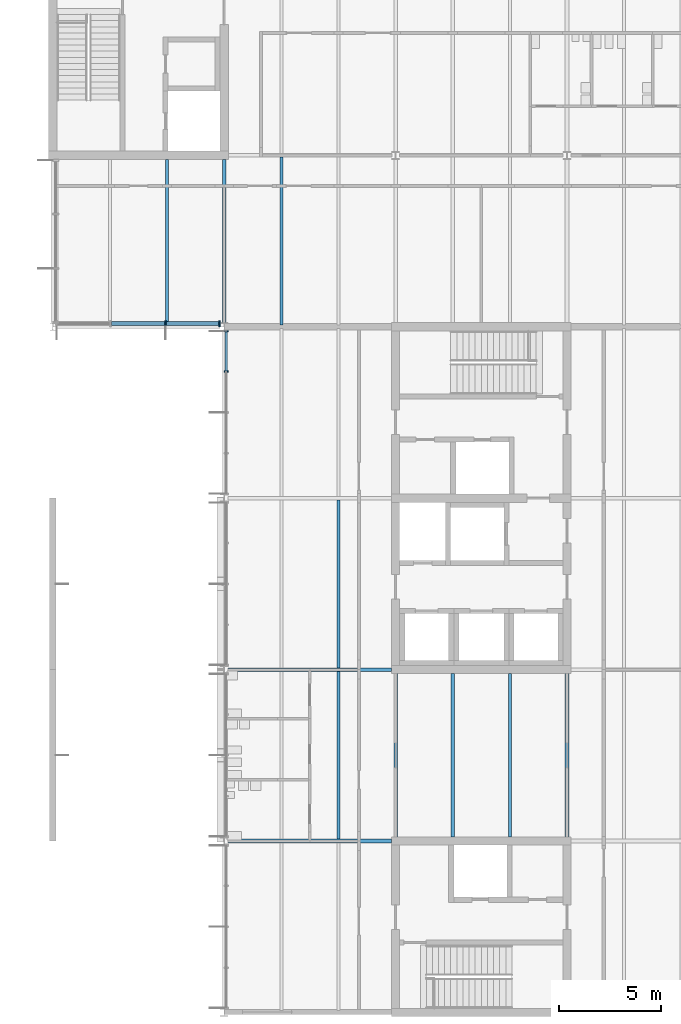
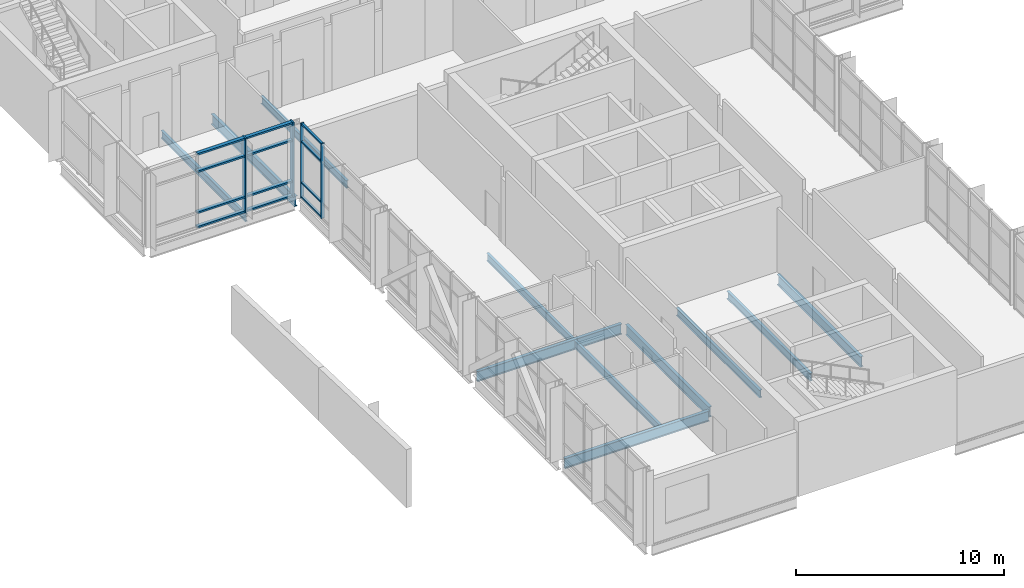
# One storey, part 21 of 72: 16 members, 11 beams, 2 elements without a shape of their own.
"""IFC4 building model written with IfcOpenShell, lengths in metres."""

import ifcopenshell
import ifcopenshell.guid

model = None  # the IFC model being written
_history = None  # IfcOwnerHistory: only IFC2X3 demands one
_inside = {}  # id of a spatial element -> (the spatial element, [elements in it])
_under = {}  # id of a project, library or spatial element -> (it, [spatial elements below it])
_declared = {}  # id of a project -> (the project, [libraries it declares])
_typed = {}  # id of a type object -> (the type object, [elements of that type])
_made_of = {}  # id of a material, layer set ... -> (it, [elements and type objects made of it])


def new_model(schema):
    """Start an empty IFC model of exactly this schema.

    Asked for "IFC4X3", IfcOpenShell would pick the latest addendum, in which some entities
    have other attributes; the version numbers below select the first issue.
    IFC2X3 requires an IfcOwnerHistory on every rooted entity: one is made here for all.
    """
    global model, _history
    if schema == "IFC4X3":
        model = ifcopenshell.file(schema_version=(4, 3, 0, 0))
    else:
        model = ifcopenshell.file(schema=schema)
    _inside.clear()
    _under.clear()
    _declared.clear()
    _typed.clear()
    _made_of.clear()
    _history = None
    if model.schema == "IFC2X3":
        org = make("IfcOrganization", Name="unknown")
        user = make(
            "IfcPersonAndOrganization",
            ThePerson=make("IfcPerson", FamilyName="unknown"),
            TheOrganization=org,
        )
        app = make(
            "IfcApplication",
            ApplicationDeveloper=org,
            Version="unknown",
            ApplicationFullName="unknown",
            ApplicationIdentifier="unknown",
        )
        _history = make(
            "IfcOwnerHistory",
            OwningUser=user,
            OwningApplication=app,
            ChangeAction="ADDED",
            CreationDate=0,
        )
    return model


def make(cls, **values):
    """One entity of the class cls with the attributes given. An attribute that is None is left unset."""
    return model.create_entity(
        cls, **{name: value for name, value in values.items() if value is not None}
    )


def rooted(cls, **values):
    """An entity with a GlobalId (a new one), such as an element, a storey or a relation."""
    return make(cls, GlobalId=ifcopenshell.guid.new(), OwnerHistory=_history, **values)


def si_unit(unit_type, name, prefix=None):
    """IfcSIUnit, for example si_unit("LENGTHUNIT", "METRE", prefix="MILLI")."""
    return make("IfcSIUnit", UnitType=unit_type, Prefix=prefix, Name=name)


def assignment(units):
    """IfcUnitAssignment: the units of a project."""
    return None if units is None else make("IfcUnitAssignment", Units=units)


def point(xyz):
    """IfcCartesianPoint."""
    return None if xyz is None else make("IfcCartesianPoint", Coordinates=xyz)


def direction(xyz):
    """IfcDirection."""
    return None if xyz is None else make("IfcDirection", DirectionRatios=xyz)


def frame(location, z_axis=None, x_axis=None):
    """IfcAxis2Placement3D, a coordinate frame: its origin and axes. An axis left out is left unset."""
    return make(
        "IfcAxis2Placement3D",
        Location=point(location),
        Axis=direction(z_axis),
        RefDirection=direction(x_axis),
    )


def frame_2d(location, x_axis=None):
    """IfcAxis2Placement2D, a coordinate frame in the plane: its origin and x axis."""
    return make(
        "IfcAxis2Placement2D", Location=point(location), RefDirection=direction(x_axis)
    )


def origin():
    """The frame at (0, 0, 0) with its axes left unset."""
    return frame((0.0, 0.0, 0.0))


def origin_2d():
    """The frame at (0, 0) in the plane with its x axis left unset."""
    return frame_2d((0.0, 0.0))


def place(relative_to, where):
    """IfcLocalPlacement: puts the frame where relative to a parent placement (None: the world)."""
    return make(
        "IfcLocalPlacement", PlacementRelTo=relative_to, RelativePlacement=where
    )


def context(
    kind, dimensions, precision=None, world=None, true_north=None, identifier=None
):
    """IfcGeometricRepresentationContext, for example the 3D "Model" context."""
    return make(
        "IfcGeometricRepresentationContext",
        ContextIdentifier=identifier,
        ContextType=kind,
        CoordinateSpaceDimension=dimensions,
        Precision=precision,
        WorldCoordinateSystem=world,
        TrueNorth=true_north,
    )


def subcontext(parent, identifier, kind, view, scale=None):
    """IfcGeometricRepresentationSubContext, for example "Body" below "Model"."""
    return make(
        "IfcGeometricRepresentationSubContext",
        ContextIdentifier=identifier,
        ContextType=kind,
        ParentContext=parent,
        TargetScale=scale,
        TargetView=view,
    )


def project(units=None, contexts=None):
    """IfcProject with its units and contexts."""
    return rooted(
        "IfcProject",
        Name="project",
        RepresentationContexts=contexts,
        UnitsInContext=assignment(units),
    )


def spatial(cls, under=None, at=None, **own):
    """A site, building, storey or space (cls), placed at a placement, below another one or the project."""
    s = rooted(cls, ObjectPlacement=at, **own)
    if under is not None:
        _under.setdefault(under.id(), (under, []))[1].append(s)
    return s


def profile(cls, at=None, kind="AREA", **sizes):
    """A parametric profile (cls). Its sizes go by their IFC names, for example OverallWidth=200.0."""
    return make(cls, ProfileType=kind, Position=at, **sizes)


def rectangle(**sizes):
    """IfcRectangleProfileDef."""
    return profile("IfcRectangleProfileDef", **sizes)


def i_section(**sizes):
    """IfcIShapeProfileDef."""
    return profile("IfcIShapeProfileDef", **sizes)


def extrude(swept, where, along, depth):
    """IfcExtrudedAreaSolid: the profile swept, set in the frame where, extruded along a direction by depth."""
    return make(
        "IfcExtrudedAreaSolid",
        SweptArea=swept,
        Position=where,
        ExtrudedDirection=direction(along),
        Depth=depth,
    )


def shape(context_of_items, identifier, shape_type, items):
    """IfcShapeRepresentation: the items that make up one representation, for example the "Body"."""
    return make(
        "IfcShapeRepresentation",
        ContextOfItems=context_of_items,
        RepresentationIdentifier=identifier,
        RepresentationType=shape_type,
        Items=items,
    )


def material(Name=None, Category=None):
    """IfcMaterial."""
    return make("IfcMaterial", Name=Name, Category=Category)


def material_profile(
    of_material, cross_section, Name=None, Category=None, Priority=None
):
    """IfcMaterialProfile: a cross section and its material."""
    return make(
        "IfcMaterialProfile",
        Name=Name,
        Material=of_material,
        Profile=cross_section,
        Priority=Priority,
        Category=Category,
    )


def profile_set(profiles, Name=None, composite=None):
    """IfcMaterialProfileSet."""
    return make(
        "IfcMaterialProfileSet",
        Name=Name,
        MaterialProfiles=profiles,
        CompositeProfile=composite,
    )


def made_of(thing, what):
    """Note that an element or type object is made of a material, layer set ...; save() writes the relation."""
    if what is not None:
        _made_of.setdefault(what.id(), (what, []))[1].append(thing)
    return thing


def type_object(cls, material=None, **own):
    """A type object (cls), such as IfcWallType, which elements share."""
    return made_of(rooted(cls, **own), material)


def element(
    cls,
    number,
    at=None,
    inside=None,
    cuts=None,
    type_object=None,
    material=None,
    context=None,
    identifier="Body",
    shape_type=None,
    held_by="IfcProductDefinitionShape",
    body=None,
    shapes=None,
    **own,
):
    """One element of the class cls, such as IfcWall. Its Tag is "e" and its number.

    at: its placement. inside: the storey or other place that contains it. cuts: it is an
    opening in that element (IfcRelVoidsElement). A single representation is given by context,
    identifier, shape_type and body (its items); several are given by shapes. held_by: the class
    of the entity that holds the representations. save() writes the other relations.
    """
    e = rooted(cls, Tag="e%d" % number, ObjectPlacement=at, **own)
    if body is not None:
        shapes = [shape(context, identifier, shape_type, body)]
    if shapes is not None:
        e.Representation = make(held_by, Representations=shapes)
    if inside is not None:
        _inside.setdefault(inside.id(), (inside, []))[1].append(e)
    if cuts is not None:
        rooted(
            "IfcRelVoidsElement", RelatingBuildingElement=cuts, RelatedOpeningElement=e
        )
    if type_object is not None:
        _typed.setdefault(type_object.id(), (type_object, []))[1].append(e)
    return made_of(e, material)


def aggregate(whole, parts):
    """IfcRelAggregates: a whole, such as a stair, and the parts it consists of."""
    return rooted("IfcRelAggregates", RelatingObject=whole, RelatedObjects=parts)


def save(model, path):
    """Write the relations noted so far, then the file.

    IfcRelAggregates (storeys below a building ...), IfcRelContainedInSpatialStructure (elements
    in a storey), IfcRelDefinesByType, IfcRelAssociatesMaterial and IfcRelDeclares: one each for
    every whole, place, type object, material and project.
    """
    for whole, parts in _under.values():
        aggregate(whole, parts)
    for where, things in _inside.values():
        rooted(
            "IfcRelContainedInSpatialStructure",
            RelatedElements=things,
            RelatingStructure=where,
        )
    for kind, things in _typed.values():
        rooted("IfcRelDefinesByType", RelatedObjects=things, RelatingType=kind)
    for what, things in _made_of.values():
        rooted("IfcRelAssociatesMaterial", RelatedObjects=things, RelatingMaterial=what)
    for by, libraries in _declared.values():
        rooted("IfcRelDeclares", RelatingContext=by, RelatedDefinitions=libraries)
    model.write(path)


model = new_model("IFC4")

# Units and contexts
model_context = context("Model", 3, precision=1e-05, world=origin(), true_north=direction((0.0, 1.0)))
body_context = subcontext(model_context, "Body", "Model", "MODEL_VIEW")
ifc_project = project(units=[si_unit("LENGTHUNIT", "METRE"), si_unit("AREAUNIT", "SQUARE_METRE"), si_unit("VOLUMEUNIT", "CUBIC_METRE"), si_unit("PLANEANGLEUNIT", "RADIAN"), si_unit("MASSUNIT", "GRAM", prefix="KILO")], contexts=[model_context])

# Site, building, storey
site_placement = place(None, origin())
site = spatial("IfcSite", under=ifc_project, at=site_placement, CompositionType="ELEMENT")
building_placement = place(site_placement, origin())
building = spatial("IfcBuilding", under=site, at=building_placement, Name="Hlaing Beacon Police Headquarters", CompositionType="ELEMENT")
storey_placement = place(building_placement, frame((0.0, 0.0, 14.39990234375)))
storey = spatial("IfcBuildingStorey", under=building, at=storey_placement, Name="L03", CompositionType="ELEMENT", Elevation=14.39990234375)

# Beams
ifc_material_1 = material(Name="Steel ASTM A992 Grade 50", Category="steel")
ifc_material_profile_1 = material_profile(ifc_material_1, i_section(OverallWidth=0.177978515625, OverallDepth=0.599365234375, WebThickness=0.010009765625, FlangeThickness=0.012939453125, FilletRadius=0.012939453125, at=origin_2d()), Name="W24x55")
ifc_profile_set_1 = profile_set([ifc_material_profile_1], Name="Steel ASTM A992 Grade 50")
beam_type_1 = type_object("IfcBeamType", Name="Girder W24x55", PredefinedType="BEAM", material=ifc_profile_set_1)
for number, where, z_axis, x_axis, name in (
    (1, (100.9990234375, 42.0, -0.4296875), (1.0, 0.0, 0.0), (0.0, 1.0, 0.0), "STR-BM-L03-GX-N6-P6"),
    (2, (100.9990234375, 50.39990234375, -0.4296875), (1.0, 0.0, 0.0), (0.0, 1.0, 0.0), "STR-BM-L03-GX-N7-P7"),
):
    element("IfcBeam", number, at=place(storey_placement, frame(where, z_axis=z_axis, x_axis=x_axis)), inside=storey, type_object=beam_type_1, Name=name, PredefinedType="BEAM", context=body_context, shape_type="SweptSolid", body=[
        extrude(i_section(OverallWidth=0.177978515625, OverallDepth=0.599365234375, WebThickness=0.010009765625, FlangeThickness=0.012939453125, FilletRadius=0.012939453125, at=origin_2d()), origin(), (0.0, 0.0, 1.0), 8.0009765625),
    ])
beam_1_placement = place(storey_placement, frame((100.800048828125, 67.387939453125, -0.4296875), z_axis=(0.0, 1.0, 0.0), x_axis=(-1.0, 0.0, 0.0)))
element("IfcBeam", 3, at=beam_1_placement, inside=storey, type_object=beam_type_1, Name="STR-BM-L03-GY-N9-N10", PredefinedType="BEAM", context=body_context, shape_type="SweptSolid", body=[
    extrude(i_section(OverallWidth=0.177978515625, OverallDepth=0.599365234375, WebThickness=0.010009765625, FlangeThickness=0.012939453125, FilletRadius=0.012939453125, at=origin_2d()), origin(), (0.0, 0.0, 1.0), 8.011962890625),
])
for number, where, z_axis, x_axis, name in (
    (4, (109.199951171875, 42.199951171875, -0.4296875), (0.0, 1.0, 0.0), (-1.0, 0.0, 0.0), "STR-BM-L03-GY-P6-P7"),
    (5, (117.60009765625, 42.199951171875, -0.4296875), (0.0, 1.0, 0.0), (-1.0, 0.0, 0.0), "STR-BM-L03-GY-Q6-Q7"),
):
    element("IfcBeam", number, at=place(storey_placement, frame(where, z_axis=z_axis, x_axis=x_axis)), inside=storey, type_object=beam_type_1, Name=name, PredefinedType="BEAM", context=body_context, shape_type="SweptSolid", body=[
        extrude(i_section(OverallWidth=0.177978515625, OverallDepth=0.599365234375, WebThickness=0.010009765625, FlangeThickness=0.012939453125, FilletRadius=0.012939453125, at=origin_2d()), origin(), (0.0, 0.0, 1.0), 8.0),
    ])

# Curtain wall, members
ifc_material_2 = material(Name="Aluminium frame with solar control glazing", Category="aluminium")
curtain_wall_type_1 = type_object("IfcCurtainWallType", Name="Unitised curtain wall 8.02 x 4.37", PredefinedType="NOTDEFINED", material=ifc_material_2)
curtain_wall_1_placement = place(storey_placement, origin())
curtain_wall_1 = element("IfcCurtainWall", 6, at=curtain_wall_1_placement, inside=storey, type_object=curtain_wall_type_1, Name="ENV-CW-L03-W036", PredefinedType="NOTDEFINED")
ifc_material_3 = material(Name="Aluminium", Category="aluminium")
ifc_material_profile_2 = material_profile(ifc_material_3, rectangle(XDim=0.199951171875, YDim=0.06005859375, at=origin_2d()), Name="Mullion 60x200")
ifc_profile_set_2 = profile_set([ifc_material_profile_2], Name="Aluminium")
member_type_1 = type_object("IfcMemberType", Name="Mullion 60x200", PredefinedType="MULLION", material=ifc_profile_set_2)
member_1_placement = place(storey_placement, frame((100.89990234375, 66.9833984375, 0.0), z_axis=(0.0, 0.0, 1.0), x_axis=(1.0, 0.0, 0.0)))
member_1 = element("IfcMember", 7, at=member_1_placement, type_object=member_type_1, Name="CW-L03-W036 mullion 1", PredefinedType="MULLION", context=body_context, shape_type="SweptSolid", body=[
    extrude(rectangle(XDim=0.199951171875, YDim=0.06005859375, at=origin_2d()), origin(), (0.0, 0.0, 1.0), 4.3701171875),
])
member_2_placement = place(storey_placement, frame((100.89990234375, 65.007568359375, 0.0), z_axis=(0.0, 0.0, 1.0), x_axis=(1.0, 0.0, 0.0)))
member_2 = element("IfcMember", 8, at=member_2_placement, type_object=member_type_1, Name="CW-L03-W036 mullion 2", PredefinedType="MULLION", context=body_context, shape_type="SweptSolid", body=[
    extrude(rectangle(XDim=0.199951171875, YDim=0.06005859375, at=origin_2d()), origin(), (0.0, 0.0, 1.0), 4.3701171875),
])

ifc_material_4 = material(Name="Aluminium frame with solar control glazing", Category="aluminium")
curtain_wall_type_2 = type_object("IfcCurtainWallType", Name="Structural glazed gable wall 8.06 x 4.37", PredefinedType="NOTDEFINED", material=ifc_material_4)
curtain_wall_2_placement = place(storey_placement, origin())
curtain_wall_2 = element("IfcCurtainWall", 9, at=curtain_wall_2_placement, inside=storey, type_object=curtain_wall_type_2, Name="ENV-CW-L03-S035", PredefinedType="NOTDEFINED")
ifc_material_5 = material(Name="Aluminium", Category="aluminium")
ifc_material_profile_3 = material_profile(ifc_material_5, rectangle(XDim=0.300048828125, YDim=0.080078125, at=origin_2d()), Name="Mullion 80x300")
ifc_profile_set_3 = profile_set([ifc_material_profile_3], Name="Aluminium")
member_type_2 = type_object("IfcMemberType", Name="Mullion 80x300", PredefinedType="MULLION", material=ifc_profile_set_3)
member_3_placement = place(storey_placement, frame((97.925537109375, 67.35009765625, 0.0), z_axis=(0.0, 0.0, 1.0), x_axis=(0.0, 1.0, 0.0)))
member_3 = element("IfcMember", 10, at=member_3_placement, type_object=member_type_2, Name="CW-L03-S035 mullion 3", PredefinedType="MULLION", context=body_context, shape_type="SweptSolid", body=[
    extrude(rectangle(XDim=0.300048828125, YDim=0.080078125, at=origin_2d()), origin(), (0.0, 0.0, 1.0), 4.3701171875),
])
member_4_placement = place(storey_placement, frame((100.5732421875, 67.35009765625, 0.0), z_axis=(0.0, 0.0, 1.0), x_axis=(0.0, 1.0, 0.0)))
member_4 = element("IfcMember", 11, at=member_4_placement, type_object=member_type_2, Name="CW-L03-S035 mullion 4", PredefinedType="MULLION", context=body_context, shape_type="SweptSolid", body=[
    extrude(rectangle(XDim=0.300048828125, YDim=0.080078125, at=origin_2d()), origin(), (0.0, 0.0, 1.0), 4.3701171875),
])

# Beams
ifc_material_6 = material(Name="Steel ASTM A992 Grade 50", Category="steel")
ifc_material_profile_4 = material_profile(ifc_material_6, i_section(OverallWidth=0.15234375, OverallDepth=0.449462890625, WebThickness=0.007568359375, FlangeThickness=0.0107421875, FilletRadius=0.01025390625, at=origin_2d()), Name="W18x35")
ifc_profile_set_4 = profile_set([ifc_material_profile_4], Name="Steel ASTM A992 Grade 50")
beam_type_2 = type_object("IfcBeamType", Name="Secondary beam W18x35", PredefinedType="BEAM", material=ifc_profile_set_4)
beam_2_placement = place(storey_placement, frame((98.0, 67.2890625, -0.354736328125), z_axis=(0.0, 1.0, 0.0), x_axis=(-1.0, 0.0, 0.0)))
element("IfcBeam", 12, at=beam_2_placement, inside=storey, type_object=beam_type_2, Name="STR-BM-L03-SB-M9-y2", PredefinedType="BEAM", context=body_context, shape_type="SweptSolid", body=[
    extrude(i_section(OverallWidth=0.15234375, OverallDepth=0.449462890625, WebThickness=0.007568359375, FlangeThickness=0.0107421875, FilletRadius=0.01025390625, at=origin_2d()), origin(), (0.0, 0.0, 1.0), 8.11083984375),
])
for number, where, z_axis, x_axis, name in (
    (13, (106.39990234375, 42.089111328125, -0.354736328125), (0.0, 1.0, 0.0), (-1.0, 0.0, 0.0), "STR-BM-L03-SB-N6-y2"),
    (14, (106.39990234375, 50.489013671875, -0.354736328125), (0.0, 1.0, 0.0), (-1.0, 0.0, 0.0), "STR-BM-L03-SB-N7-y2"),
    (15, (103.60009765625, 67.2890625, -0.354736328125), (0.0, 1.0, 0.0), (-1.0, 0.0, 0.0), "STR-BM-L03-SB-N9-y1"),
):
    element("IfcBeam", number, at=place(storey_placement, frame(where, z_axis=z_axis, x_axis=x_axis)), inside=storey, type_object=beam_type_2, Name=name, PredefinedType="BEAM", context=body_context, shape_type="SweptSolid", body=[
        extrude(i_section(OverallWidth=0.15234375, OverallDepth=0.449462890625, WebThickness=0.007568359375, FlangeThickness=0.0107421875, FilletRadius=0.01025390625, at=origin_2d()), origin(), (0.0, 0.0, 1.0), 8.221923828125),
    ])
for number, where, z_axis, x_axis, name in (
    (16, (112.0, 42.199951171875, -0.354736328125), (0.0, 1.0, 0.0), (-1.0, 0.0, 0.0), "STR-BM-L03-SB-P6-y1"),
    (17, (114.800048828125, 42.199951171875, -0.354736328125), (0.0, 1.0, 0.0), (-1.0, 0.0, 0.0), "STR-BM-L03-SB-P6-y2"),
):
    element("IfcBeam", number, at=place(storey_placement, frame(where, z_axis=z_axis, x_axis=x_axis)), inside=storey, type_object=beam_type_2, Name=name, PredefinedType="BEAM", context=body_context, shape_type="SweptSolid", body=[
        extrude(i_section(OverallWidth=0.15234375, OverallDepth=0.449462890625, WebThickness=0.007568359375, FlangeThickness=0.0107421875, FilletRadius=0.01025390625, at=origin_2d()), origin(), (0.0, 0.0, 1.0), 8.0),
    ])

# Member
ifc_material_7 = material(Name="Aluminium", Category="aluminium")
ifc_material_profile_5 = material_profile(ifc_material_7, rectangle(XDim=0.1201171875, YDim=0.10009765625, at=origin_2d()), Name="Transom 120x100")
ifc_profile_set_5 = profile_set([ifc_material_profile_5], Name="Aluminium")
member_type_3 = type_object("IfcMemberType", Name="Transom 120x100", PredefinedType="USERDEFINED", material=ifc_profile_set_5)
member_5_placement = place(storey_placement, frame((100.89990234375, 66.953369140625, 0.050048828125), z_axis=(0.0, -1.0, 0.0), x_axis=(1.0, 0.0, 0.0)))
member_5 = element("IfcMember", 18, at=member_5_placement, type_object=member_type_3, Name="CW-L03-W036 transom 1.1", ObjectType="TRANSOM", PredefinedType="USERDEFINED", context=body_context, shape_type="SweptSolid", body=[
    extrude(rectangle(XDim=0.1201171875, YDim=0.10009765625, at=origin_2d()), origin(), (0.0, 0.0, 1.0), 1.915771484375),
])

member_6_placement = place(storey_placement, frame((100.89990234375, 66.953369140625, 0.900146484375), z_axis=(0.0, -1.0, 0.0), x_axis=(1.0, 0.0, 0.0)))
member_6 = element("IfcMember", 19, at=member_6_placement, type_object=member_type_3, Name="CW-L03-W036 transom 1.2", ObjectType="TRANSOM", PredefinedType="USERDEFINED", context=body_context, shape_type="SweptSolid", body=[
    extrude(rectangle(XDim=0.1201171875, YDim=0.10009765625, at=origin_2d()), origin(), (0.0, 0.0, 1.0), 1.915771484375),
])

member_7_placement = place(storey_placement, frame((100.89990234375, 66.953369140625, 3.300048828125), z_axis=(0.0, -1.0, 0.0), x_axis=(1.0, 0.0, 0.0)))
member_7 = element("IfcMember", 20, at=member_7_placement, type_object=member_type_3, Name="CW-L03-W036 transom 1.3", ObjectType="TRANSOM", PredefinedType="USERDEFINED", context=body_context, shape_type="SweptSolid", body=[
    extrude(rectangle(XDim=0.1201171875, YDim=0.10009765625, at=origin_2d()), origin(), (0.0, 0.0, 1.0), 1.915771484375),
])

member_8_placement = place(storey_placement, frame((100.89990234375, 66.953369140625, 4.320068359375), z_axis=(0.0, -1.0, 0.0), x_axis=(1.0, 0.0, 0.0)))
member_8 = element("IfcMember", 21, at=member_8_placement, type_object=member_type_3, Name="CW-L03-W036 transom 1.4", ObjectType="TRANSOM", PredefinedType="USERDEFINED", context=body_context, shape_type="SweptSolid", body=[
    extrude(rectangle(XDim=0.1201171875, YDim=0.10009765625, at=origin_2d()), origin(), (0.0, 0.0, 1.0), 1.915771484375),
])

aggregate(curtain_wall_1, [member_1, member_2, member_5, member_6, member_7, member_8])

ifc_material_8 = material(Name="Aluminium", Category="aluminium")
ifc_material_profile_6 = material_profile(ifc_material_8, rectangle(XDim=0.199951171875, YDim=0.10009765625, at=origin_2d()), Name="Transom 200x100")
ifc_profile_set_6 = profile_set([ifc_material_profile_6], Name="Aluminium")
member_type_4 = type_object("IfcMemberType", Name="Transom 200x100", PredefinedType="USERDEFINED", material=ifc_profile_set_6)
member_9_placement = place(storey_placement, frame((95.27783203125, 67.35009765625, 0.050048828125), z_axis=(1.0, 0.0, 0.0), x_axis=(0.0, 1.0, 0.0)))
member_9 = element("IfcMember", 22, at=member_9_placement, type_object=member_type_4, Name="CW-L03-S035 transom 2.1", ObjectType="TRANSOM", PredefinedType="USERDEFINED", context=body_context, shape_type="SweptSolid", body=[
    extrude(rectangle(XDim=0.199951171875, YDim=0.10009765625, at=origin_2d()), origin(), (0.0, 0.0, 1.0), 2.607666015625),
])

member_10_placement = place(storey_placement, frame((95.27783203125, 67.35009765625, 0.900146484375), z_axis=(1.0, 0.0, 0.0), x_axis=(0.0, 1.0, 0.0)))
member_10 = element("IfcMember", 23, at=member_10_placement, type_object=member_type_4, Name="CW-L03-S035 transom 2.2", ObjectType="TRANSOM", PredefinedType="USERDEFINED", context=body_context, shape_type="SweptSolid", body=[
    extrude(rectangle(XDim=0.199951171875, YDim=0.10009765625, at=origin_2d()), origin(), (0.0, 0.0, 1.0), 2.607666015625),
])

member_11_placement = place(storey_placement, frame((95.27783203125, 67.35009765625, 3.300048828125), z_axis=(1.0, 0.0, 0.0), x_axis=(0.0, 1.0, 0.0)))
member_11 = element("IfcMember", 24, at=member_11_placement, type_object=member_type_4, Name="CW-L03-S035 transom 2.3", ObjectType="TRANSOM", PredefinedType="USERDEFINED", context=body_context, shape_type="SweptSolid", body=[
    extrude(rectangle(XDim=0.199951171875, YDim=0.10009765625, at=origin_2d()), origin(), (0.0, 0.0, 1.0), 2.607666015625),
])

member_12_placement = place(storey_placement, frame((95.27783203125, 67.35009765625, 4.320068359375), z_axis=(1.0, 0.0, 0.0), x_axis=(0.0, 1.0, 0.0)))
member_12 = element("IfcMember", 25, at=member_12_placement, type_object=member_type_4, Name="CW-L03-S035 transom 2.4", ObjectType="TRANSOM", PredefinedType="USERDEFINED", context=body_context, shape_type="SweptSolid", body=[
    extrude(rectangle(XDim=0.199951171875, YDim=0.10009765625, at=origin_2d()), origin(), (0.0, 0.0, 1.0), 2.607666015625),
])

member_13_placement = place(storey_placement, frame((97.965576171875, 67.35009765625, 0.050048828125), z_axis=(1.0, 0.0, 0.0), x_axis=(0.0, 1.0, 0.0)))
member_13 = element("IfcMember", 26, at=member_13_placement, type_object=member_type_4, Name="CW-L03-S035 transom 3.1", ObjectType="TRANSOM", PredefinedType="USERDEFINED", context=body_context, shape_type="SweptSolid", body=[
    extrude(rectangle(XDim=0.199951171875, YDim=0.10009765625, at=origin_2d()), origin(), (0.0, 0.0, 1.0), 2.567626953125),
])

member_14_placement = place(storey_placement, frame((97.965576171875, 67.35009765625, 0.900146484375), z_axis=(1.0, 0.0, 0.0), x_axis=(0.0, 1.0, 0.0)))
member_14 = element("IfcMember", 27, at=member_14_placement, type_object=member_type_4, Name="CW-L03-S035 transom 3.2", ObjectType="TRANSOM", PredefinedType="USERDEFINED", context=body_context, shape_type="SweptSolid", body=[
    extrude(rectangle(XDim=0.199951171875, YDim=0.10009765625, at=origin_2d()), origin(), (0.0, 0.0, 1.0), 2.567626953125),
])

member_15_placement = place(storey_placement, frame((97.965576171875, 67.35009765625, 3.300048828125), z_axis=(1.0, 0.0, 0.0), x_axis=(0.0, 1.0, 0.0)))
member_15 = element("IfcMember", 28, at=member_15_placement, type_object=member_type_4, Name="CW-L03-S035 transom 3.3", ObjectType="TRANSOM", PredefinedType="USERDEFINED", context=body_context, shape_type="SweptSolid", body=[
    extrude(rectangle(XDim=0.199951171875, YDim=0.10009765625, at=origin_2d()), origin(), (0.0, 0.0, 1.0), 2.567626953125),
])

member_16_placement = place(storey_placement, frame((97.965576171875, 67.35009765625, 4.320068359375), z_axis=(1.0, 0.0, 0.0), x_axis=(0.0, 1.0, 0.0)))
member_16 = element("IfcMember", 29, at=member_16_placement, type_object=member_type_4, Name="CW-L03-S035 transom 3.4", ObjectType="TRANSOM", PredefinedType="USERDEFINED", context=body_context, shape_type="SweptSolid", body=[
    extrude(rectangle(XDim=0.199951171875, YDim=0.10009765625, at=origin_2d()), origin(), (0.0, 0.0, 1.0), 2.567626953125),
])

aggregate(curtain_wall_2, [member_3, member_4, member_9, member_10, member_11, member_12, member_13, member_14, member_15, member_16])

save(model, "model.ifc")
